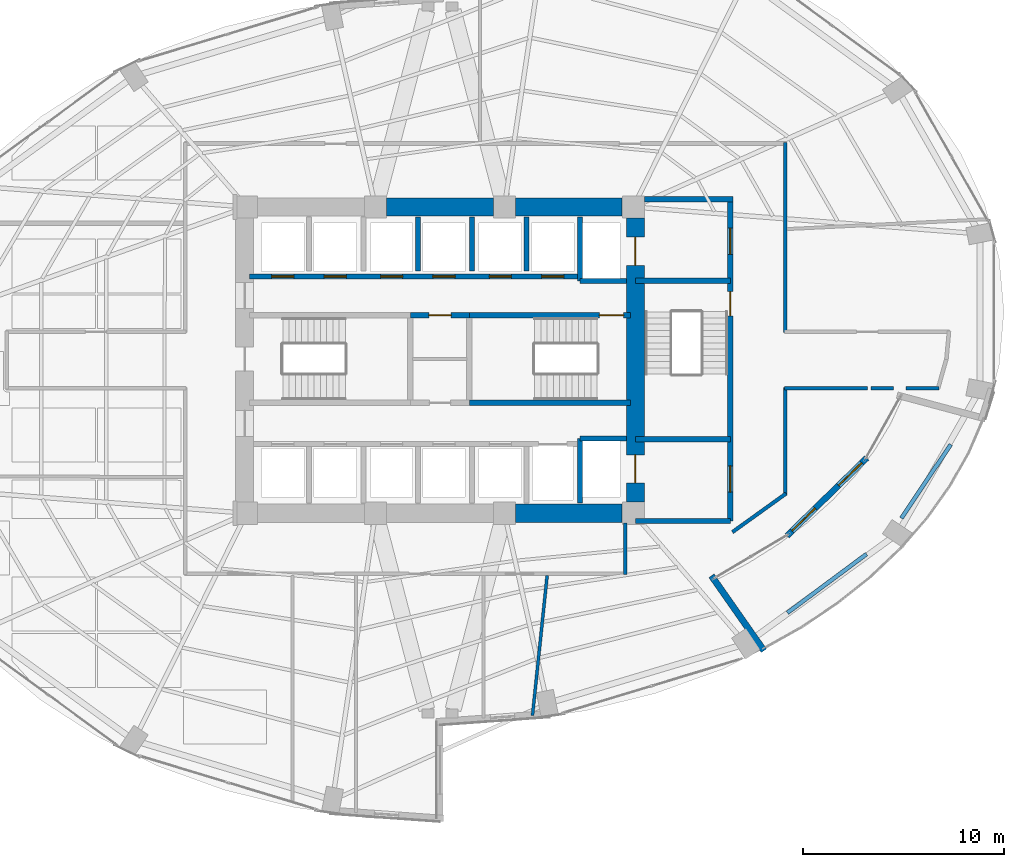
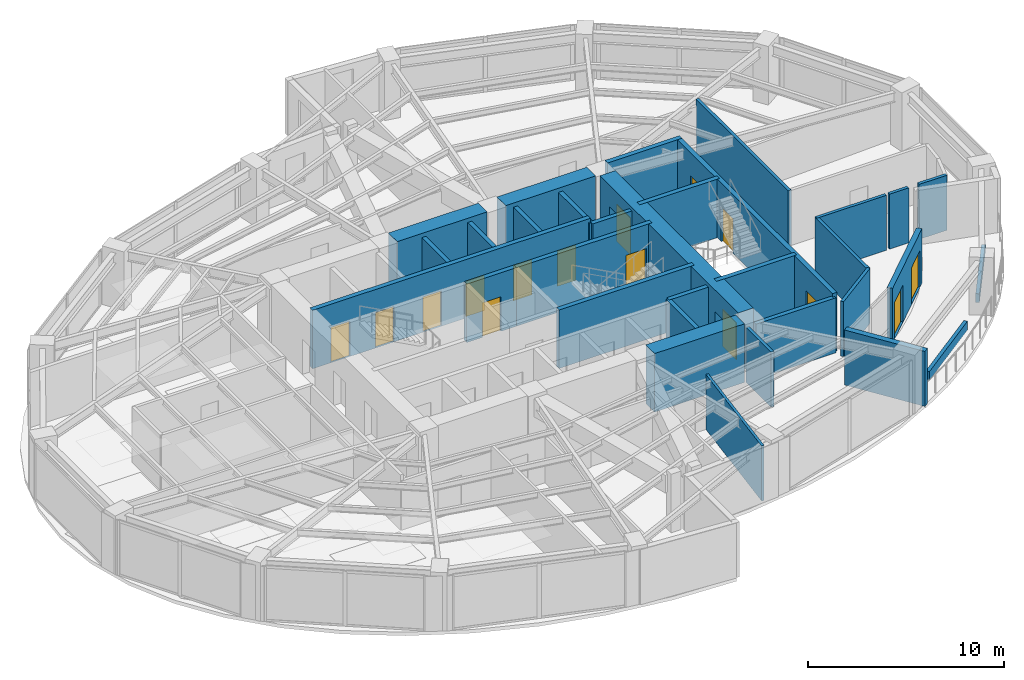
# One storey, part 21 of 24: 32 walls, 15 doors, 15 openings.
"""IFC4 building model written with IfcOpenShell, lengths in metres."""

from ifc_helpers import new_model, si_unit, direction, frame, frame_2d, origin, place, context, subcontext, project, spatial, rectangle, extrude, material, layer, layer_set, type_object, element, fill, save


model = new_model("IFC4")

# Units and contexts
model_context = context("Model", 3, precision=1e-05, world=origin(), true_north=direction((0.0, 1.0)))
body_context = subcontext(model_context, "Body", "Model", "MODEL_VIEW")
ifc_project = project(units=[si_unit("LENGTHUNIT", "METRE"), si_unit("AREAUNIT", "SQUARE_METRE"), si_unit("VOLUMEUNIT", "CUBIC_METRE"), si_unit("PLANEANGLEUNIT", "RADIAN"), si_unit("MASSUNIT", "GRAM", prefix="KILO")], contexts=[model_context])

# Site, building, storey
site_placement = place(None, origin())
site = spatial("IfcSite", under=ifc_project, at=site_placement, CompositionType="ELEMENT")
building_placement = place(site_placement, origin())
building = spatial("IfcBuilding", under=site, at=building_placement, Name="Lazwardi Medical Tower", CompositionType="ELEMENT")
storey_placement = place(building_placement, frame((0.0, 0.0, 58.031982421875)))
storey = spatial("IfcBuildingStorey", under=building, at=storey_placement, Name="L14", CompositionType="ELEMENT", Elevation=58.031982421875)

# Walls
ifc_material_1 = material(Name="Fire-rated gypsum board on steel stud", Category="steel")
ifc_layer_1 = layer(ifc_material_1, 0.179931640625)
ifc_layer_set_1 = layer_set([ifc_layer_1], Name="Fire-rated gypsum board on steel stud")
wall_type_1 = type_object("IfcWallType", Name="WL-COR-180", PredefinedType="PARTITIONING", material=ifc_layer_set_1)
wall_1_placement = place(storey_placement, frame((53.14990234375, 38.7900390625, 0.0), z_axis=(0.0, 0.0, 1.0), x_axis=(0.0, -1.0, 0.0)))
element("IfcWall", 1, at=wall_1_placement, inside=storey, type_object=wall_type_1, Name="L14 Corridor partition 5", PredefinedType="PARTITIONING", context=body_context, shape_type="SweptSolid", body=[
    extrude(rectangle(XDim=9.429931640625, YDim=0.179931640625, at=frame_2d((4.71484375, 0.0))), origin(), (0.0, 0.0, 1.0), 3.427978515625),
])
wall_2_placement = place(storey_placement, frame((60.768310546875, 26.60009765625, 0.0), z_axis=(0.0, 0.0, 1.0), x_axis=(-1.0, 0.0, 0.0)))
element("IfcWall", 2, at=wall_2_placement, inside=storey, type_object=wall_type_1, Name="L14 Corridor partition 9", PredefinedType="PARTITIONING", context=body_context, shape_type="SweptSolid", body=[
    extrude(rectangle(XDim=1.643310546875, YDim=0.179931640625, at=frame_2d((0.82177734375, 0.0))), origin(), (0.0, 0.0, 1.0), 3.427978515625),
])
wall_3_placement = place(storey_placement, frame((58.523193359375, 26.60009765625, 0.0), z_axis=(0.0, 0.0, 1.0), x_axis=(-1.0, 0.0, 0.0)))
element("IfcWall", 3, at=wall_3_placement, inside=storey, type_object=wall_type_1, Name="L14 Corridor partition 10", PredefinedType="PARTITIONING", context=body_context, shape_type="SweptSolid", body=[
    extrude(rectangle(XDim=1.13671875, YDim=0.179931640625, at=frame_2d((0.568359375, 0.0))), origin(), (0.0, 0.0, 1.0), 3.427978515625),
])
wall_4_placement = place(storey_placement, frame((57.21337890625, 26.60009765625, 0.0), z_axis=(0.0, 0.0, 1.0), x_axis=(-1.0, 0.0, 0.0)))
element("IfcWall", 4, at=wall_4_placement, inside=storey, type_object=wall_type_1, Name="L14 Corridor partition 11", PredefinedType="PARTITIONING", context=body_context, shape_type="SweptSolid", body=[
    extrude(rectangle(XDim=4.103271484375, YDim=0.179931640625, at=frame_2d((2.0517578125, 0.0))), origin(), (0.0, 0.0, 1.0), 3.427978515625),
])
wall_5_placement = place(storey_placement, frame((53.14990234375, 26.639892578125, 0.0), z_axis=(0.0, 0.0, 1.0), x_axis=(0.0, -1.0, 0.0)))
element("IfcWall", 5, at=wall_5_placement, inside=storey, type_object=wall_type_1, Name="L14 Corridor partition 12", PredefinedType="PARTITIONING", context=body_context, shape_type="SweptSolid", body=[
    extrude(rectangle(XDim=5.327392578125, YDim=0.179931640625, at=frame_2d((2.66357421875, 0.0))), origin(), (0.0, 0.0, 1.0), 3.427978515625),
])
wall_6_placement = place(storey_placement, frame((53.1826171875, 21.3759765625, 0.0), z_axis=(0.0, 0.0, 1.0), x_axis=(-0.812151980909, -0.583445935717, 0.0)))
element("IfcWall", 6, at=wall_6_placement, inside=storey, type_object=wall_type_1, Name="L14 Corridor partition 13", PredefinedType="PARTITIONING", context=body_context, shape_type="SweptSolid", body=[
    extrude(rectangle(XDim=3.281494140625, YDim=0.179931640625, at=frame_2d((1.640625, 0.0))), origin(), (0.0, 0.0, 1.0), 3.427978515625),
])
wall_7_placement = place(storey_placement, frame((45.199951171875, 19.909912109375, 0.0), z_axis=(0.0, 0.0, 1.0), x_axis=(0.0, -1.0, 0.0)))
element("IfcWall", 7, at=wall_7_placement, inside=storey, type_object=wall_type_1, Name="L14 Corridor partition 16", PredefinedType="PARTITIONING", context=body_context, shape_type="SweptSolid", body=[
    extrude(rectangle(XDim=2.5498046875, YDim=0.179931640625, at=frame_2d((1.27490234375, 0.0))), origin(), (0.0, 0.0, 1.0), 3.427978515625),
])

# Wall, openings, doors
ifc_material_2 = material(Name="Concrete C80/95", Category="concrete")
ifc_layer_2 = layer(ifc_material_2, 0.89990234375)
ifc_layer_set_2 = layer_set([ifc_layer_2], Name="Concrete C80/95")
wall_type_2 = type_object("IfcWallType", Name="WL-CORE-900", PredefinedType="SHEAR", material=ifc_layer_set_2)
wall_8_placement = place(storey_placement, frame((45.699951171875, 20.949951171875, 0.0), z_axis=(0.0, 0.0, 1.0), x_axis=(0.0, 1.0, 0.0)))
wall_8 = element("IfcWall", 8, at=wall_8_placement, inside=storey, type_object=wall_type_2, Name="Core wall CW-S1 east L14", PredefinedType="SHEAR", context=body_context, shape_type="SweptSolid", body=[
    extrude(rectangle(XDim=14.10009765625, YDim=0.89990234375, at=frame_2d((7.050048828125, 0.0))), origin(), (0.0, 0.0, 1.0), 3.64794921875),
])
opening_1_placement = place(wall_8_placement, frame((11.75, 0.0, 0.0)))
opening_1 = element("IfcOpeningElement", 9, at=opening_1_placement, cuts=wall_8, Name="Opening LD-L14-001", PredefinedType="OPENING", context=body_context, shape_type="SweptSolid", body=[
    extrude(rectangle(XDim=1.39990234375, YDim=2.300048828125, at=frame_2d((0.699951171875, 1.14990234375))), frame((0.0, 0.4599609375, 0.0), z_axis=(0.0, -1.0, 0.0), x_axis=(1.0, 0.0, 0.0)), (0.0, 0.0, 1.0), 0.919921875),
])
opening_2_placement = place(wall_8_placement, frame((0.949951171875, 0.0, 0.0)))
opening_2 = element("IfcOpeningElement", 10, at=opening_2_placement, cuts=wall_8, Name="Opening LD-L14-002", PredefinedType="OPENING", context=body_context, shape_type="SweptSolid", body=[
    extrude(rectangle(XDim=1.39990234375, YDim=2.300048828125, at=frame_2d((0.699951171875, 1.14990234375))), frame((0.0, 0.4599609375, 0.0), z_axis=(0.0, -1.0, 0.0), x_axis=(1.0, 0.0, 0.0)), (0.0, 0.0, 1.0), 0.919921875),
])
ifc_material_3 = material(Name="Brushed stainless steel bed-lift landing door", Category="steel")
door_type_1 = type_object("IfcDoorType", Name="DR-LFT-1400", OperationType="NOTDEFINED", PredefinedType="DOOR", material=ifc_material_3)
door_1_placement = place(opening_1_placement, origin())
door_1 = element("IfcDoor", 11, at=door_1_placement, inside=storey, type_object=door_type_1, Name="L14 Lift Landing Door FL-01", OperationType="SLIDING_TO_LEFT", OverallHeight=2.300048828125, OverallWidth=1.39990234375, PredefinedType="DOOR", context=body_context, shape_type="SweptSolid", body=[
    extrude(rectangle(XDim=1.39990234375, YDim=2.300048828125, at=frame_2d((0.699951171875, 1.14990234375))), frame((0.0, 0.02490234375, 0.0), z_axis=(0.0, -1.0, 0.0), x_axis=(1.0, 0.0, 0.0)), (0.0, 0.0, 1.0), 0.050048828125),
])
fill(opening_1, door_1)
door_2_placement = place(opening_2_placement, origin())
door_2 = element("IfcDoor", 12, at=door_2_placement, inside=storey, type_object=door_type_1, Name="L14 Lift Landing Door FL-02", OperationType="SLIDING_TO_LEFT", OverallHeight=2.300048828125, OverallWidth=1.39990234375, PredefinedType="DOOR", context=body_context, shape_type="SweptSolid", body=[
    extrude(rectangle(XDim=1.39990234375, YDim=2.300048828125, at=frame_2d((0.699951171875, 1.14990234375))), frame((0.0, 0.02490234375, 0.0), z_axis=(0.0, -1.0, 0.0), x_axis=(1.0, 0.0, 0.0)), (0.0, 0.0, 1.0), 0.050048828125),
])
fill(opening_2, door_2)

# Walls
wall_9_placement = place(storey_placement, frame((33.35009765625, 35.60009765625, 0.0), z_axis=(0.0, 0.0, 1.0), x_axis=(1.0, 0.0, 0.0)))
element("IfcWall", 13, at=wall_9_placement, inside=storey, type_object=wall_type_2, Name="Core wall CW-S1 N2 L14", PredefinedType="SHEAR", context=body_context, shape_type="SweptSolid", body=[
    extrude(rectangle(XDim=5.2998046875, YDim=0.89990234375, at=frame_2d((2.64990234375, 0.0))), origin(), (0.0, 0.0, 1.0), 3.64794921875),
])
for number, where, z_axis, x_axis, name in (
    (14, (39.75, 20.39990234375, 0.0), (0.0, 0.0, 1.0), (1.0, 0.0, 0.0), "Core wall CW-S1 S3 L14"),
    (15, (39.75, 35.60009765625, 0.0), (0.0, 0.0, 1.0), (1.0, 0.0, 0.0), "Core wall CW-S1 N3 L14"),
):
    element("IfcWall", number, at=place(storey_placement, frame(where, z_axis=z_axis, x_axis=x_axis)), inside=storey, type_object=wall_type_2, Name=name, PredefinedType="SHEAR", context=body_context, shape_type="SweptSolid", body=[
        extrude(rectangle(XDim=5.300048828125, YDim=0.89990234375, at=frame_2d((2.64990234375, 0.0))), origin(), (0.0, 0.0, 1.0), 3.64794921875),
    ])
ifc_material_4 = material(Name="Precast concrete C45/55", Category="concrete")
ifc_layer_3 = layer(ifc_material_4, 0.320068359375)
ifc_layer_set_3 = layer_set([ifc_layer_3], Name="Precast concrete C45/55")
wall_type_3 = type_object("IfcWallType", Name="WL-IWAN-320", PredefinedType="SOLIDWALL", material=ifc_layer_set_3)
wall_10_placement = place(storey_placement, frame((52.0830078125, 13.57470703125, 0.0), z_axis=(0.0, 0.0, 1.0), x_axis=(-0.573592269695, 0.819140957434, 0.0)))
element("IfcWall", 16, at=wall_10_placement, inside=storey, type_object=wall_type_3, Name="L14 Sky Garden SG1 Flank Wall S0", PredefinedType="SOLIDWALL", context=body_context, shape_type="SweptSolid", body=[
    extrude(rectangle(XDim=4.539794921875, YDim=0.320068359375, at=frame_2d((2.27001953125, 0.0))), origin(), (0.0, 0.0, 1.0), 3.427978515625),
])

# Wall, openings, doors
ifc_layer_4 = layer(ifc_material_4, 0.300048828125)
ifc_layer_set_4 = layer_set([ifc_layer_4], Name="Precast concrete C45/55")
wall_type_4 = type_object("IfcWallType", Name="WL-LOBBY-300", PredefinedType="SOLIDWALL", material=ifc_layer_set_4)
wall_11_placement = place(storey_placement, frame((53.232666015625, 19.281494140625, 0.0), z_axis=(0.0, 0.0, 1.0), x_axis=(0.71569731989, 0.698410585761, 0.0)))
wall_11 = element("IfcWall", 17, at=wall_11_placement, inside=storey, type_object=wall_type_4, Name="L14 Sky Garden SG1 Loggia Portal Wall", PredefinedType="SOLIDWALL", context=body_context, shape_type="SweptSolid", body=[
    extrude(rectangle(XDim=5.522216796875, YDim=0.300048828125, at=frame_2d((2.76123046875, 0.0))), origin(), (0.0, 0.0, 1.0), 3.427978515625),
])
opening_3_placement = place(wall_11_placement, frame((0.35009765625, 0.0, 0.02001953125)))
opening_3 = element("IfcOpeningElement", 18, at=opening_3_placement, cuts=wall_11, Name="Opening D-L14-018", PredefinedType="OPENING", context=body_context, shape_type="SweptSolid", body=[
    extrude(rectangle(XDim=1.60009765625, YDim=2.300048828125, at=frame_2d((0.800048828125, 1.14990234375))), frame((0.0, 0.159912109375, 0.0), z_axis=(0.0, -1.0, 0.0), x_axis=(1.0, 0.0, 0.0)), (0.0, 0.0, 1.0), 0.320068359375),
])
opening_4_placement = place(wall_11_placement, frame((3.572265625, 0.0, 0.02001953125)))
opening_4 = element("IfcOpeningElement", 19, at=opening_4_placement, cuts=wall_11, Name="Opening D-L14-019", PredefinedType="OPENING", context=body_context, shape_type="SweptSolid", body=[
    extrude(rectangle(XDim=1.60009765625, YDim=2.300048828125, at=frame_2d((0.800048828125, 1.14990234375))), frame((0.0, 0.159912109375, 0.0), z_axis=(0.0, -1.0, 0.0), x_axis=(1.0, 0.0, 0.0)), (0.0, 0.0, 1.0), 0.320068359375),
])
ifc_material_5 = material(Name="Anodised bronze aluminium and laminated glass", Category="aluminium")
door_type_2 = type_object("IfcDoorType", Name="DR-SKG-1600", OperationType="NOTDEFINED", PredefinedType="DOOR", material=ifc_material_5)
door_3_placement = place(opening_3_placement, origin())
door_3 = element("IfcDoor", 20, at=door_3_placement, inside=storey, type_object=door_type_2, Name="L14 Sky Garden SG1 Terrace Door 1", OperationType="DOUBLE_DOOR_SINGLE_SWING", OverallHeight=2.300048828125, OverallWidth=1.60009765625, PredefinedType="DOOR", context=body_context, shape_type="SweptSolid", body=[
    extrude(rectangle(XDim=1.60009765625, YDim=2.300048828125, at=frame_2d((0.800048828125, 1.14990234375))), frame((0.0, 0.02490234375, 0.0), z_axis=(0.0, -1.0, 0.0), x_axis=(1.0, 0.0, 0.0)), (0.0, 0.0, 1.0), 0.050048828125),
])
fill(opening_3, door_3)
door_4_placement = place(opening_4_placement, origin())
door_4 = element("IfcDoor", 21, at=door_4_placement, inside=storey, type_object=door_type_2, Name="L14 Sky Garden SG1 Terrace Door 2", OperationType="DOUBLE_DOOR_SINGLE_SWING", OverallHeight=2.300048828125, OverallWidth=1.60009765625, PredefinedType="DOOR", context=body_context, shape_type="SweptSolid", body=[
    extrude(rectangle(XDim=1.60009765625, YDim=2.300048828125, at=frame_2d((0.800048828125, 1.14990234375))), frame((0.0, 0.02490234375, 0.0), z_axis=(0.0, -1.0, 0.0), x_axis=(1.0, 0.0, 0.0)), (0.0, 0.0, 1.0), 0.050048828125),
])
fill(opening_4, door_4)

# Walls
ifc_material_6 = material(Name="Precast concrete C40/50", Category="concrete")
ifc_layer_5 = layer(ifc_material_6, 0.199951171875)
ifc_layer_set_5 = layer_set([ifc_layer_5], Name="Precast concrete C40/50")
wall_type_5 = type_object("IfcWallType", Name="WL-PLN-200", PredefinedType="PARAPET", material=ifc_layer_set_5)
wall_12_placement = place(storey_placement, frame((53.2509765625, 15.456787109375, 0.0), z_axis=(0.0, 0.0, 1.0), x_axis=(0.802984756963, 0.59599956383, 0.0)))
element("IfcWall", 22, at=wall_12_placement, inside=storey, type_object=wall_type_5, Name="L14 Sky Garden SG1 Structural Planter 1", PredefinedType="PARAPET", context=body_context, shape_type="SweptSolid", body=[
    extrude(rectangle(XDim=4.891357421875, YDim=0.199951171875, at=frame_2d((2.44580078125, 0.0))), origin(), (0.0, 0.0, 1.0), 0.550048828125),
])
wall_13_placement = place(storey_placement, frame((58.904541015625, 20.150634765625, 0.0), z_axis=(0.0, 0.0, 1.0), x_axis=(0.556514541945, 0.830837869023, 0.0)))
element("IfcWall", 23, at=wall_13_placement, inside=storey, type_object=wall_type_5, Name="L14 Sky Garden SG1 Structural Planter 2", PredefinedType="PARAPET", context=body_context, shape_type="SweptSolid", body=[
    extrude(rectangle(XDim=4.40625, YDim=0.199951171875, at=frame_2d((2.203125, 0.0))), origin(), (0.0, 0.0, 1.0), 0.550048828125),
])
ifc_material_7 = material(Name="Autoclaved aerated concrete blockwork", Category="masonry")
ifc_layer_6 = layer(ifc_material_7, 0.25)
ifc_layer_set_6 = layer_set([ifc_layer_6], Name="Autoclaved aerated concrete blockwork")
wall_type_6 = type_object("IfcWallType", Name="WL-SHAFT-250", PredefinedType="SOLIDWALL", material=ifc_layer_set_6)
wall_14_placement = place(storey_placement, frame((42.949951171875, 31.919921875, 0.0), z_axis=(0.0, 0.0, 1.0), x_axis=(0.0, 1.0, 0.0)))
element("IfcWall", 24, at=wall_14_placement, inside=storey, type_object=wall_type_6, Name="L14 FL-01 West shaft wall", PredefinedType="SOLIDWALL", context=body_context, shape_type="SweptSolid", body=[
    extrude(rectangle(XDim=3.18017578125, YDim=0.25, at=frame_2d((1.590087890625, 0.0))), origin(), (0.0, 0.0, 1.0), 3.427978515625),
])
wall_15_placement = place(storey_placement, frame((42.949951171875, 31.919921875, 0.0), z_axis=(0.0, 0.0, 1.0), x_axis=(1.0, 0.0, 0.0)))
element("IfcWall", 25, at=wall_15_placement, inside=storey, type_object=wall_type_6, Name="L14 FL-01 South shaft wall", PredefinedType="SOLIDWALL", context=body_context, shape_type="SweptSolid", body=[
    extrude(rectangle(XDim=2.300048828125, YDim=0.25, at=frame_2d((1.14990234375, 0.0))), origin(), (0.0, 0.0, 1.0), 3.427978515625),
])
wall_16_placement = place(storey_placement, frame((42.949951171875, 20.89990234375, 0.0), z_axis=(0.0, 0.0, 1.0), x_axis=(0.0, 1.0, 0.0)))
element("IfcWall", 26, at=wall_16_placement, inside=storey, type_object=wall_type_6, Name="L14 FL-02 West shaft wall", PredefinedType="SOLIDWALL", context=body_context, shape_type="SweptSolid", body=[
    extrude(rectangle(XDim=3.2001953125, YDim=0.25, at=frame_2d((1.60009765625, 0.0))), origin(), (0.0, 0.0, 1.0), 3.427978515625),
])
wall_17_placement = place(storey_placement, frame((42.949951171875, 24.10009765625, 0.0), z_axis=(0.0, 0.0, 1.0), x_axis=(1.0, 0.0, 0.0)))
element("IfcWall", 27, at=wall_17_placement, inside=storey, type_object=wall_type_6, Name="L14 FL-02 North shaft wall", PredefinedType="SOLIDWALL", context=body_context, shape_type="SweptSolid", body=[
    extrude(rectangle(XDim=2.300048828125, YDim=0.25, at=frame_2d((1.14990234375, 0.0))), origin(), (0.0, 0.0, 1.0), 3.427978515625),
])
for number, where, z_axis, x_axis, name in (
    (28, (34.89990234375, 32.419921875, 0.0), (0.0, 0.0, 1.0), (0.0, 1.0, 0.0), "L14 North hoistway divider"),
    (29, (37.60009765625, 32.419921875, 0.0), (0.0, 0.0, 1.0), (0.0, 1.0, 0.0), "L14 North hoistway divider"),
    (30, (40.300048828125, 32.419921875, 0.0), (0.0, 0.0, 1.0), (0.0, 1.0, 0.0), "L14 North hoistway divider"),
):
    element("IfcWall", number, at=place(storey_placement, frame(where, z_axis=z_axis, x_axis=x_axis)), inside=storey, type_object=wall_type_6, Name=name, PredefinedType="SOLIDWALL", context=body_context, shape_type="SweptSolid", body=[
        extrude(rectangle(XDim=2.68017578125, YDim=0.25, at=frame_2d((1.340087890625, 0.0))), origin(), (0.0, 0.0, 1.0), 3.427978515625),
    ])
wall_18_placement = place(storey_placement, frame((45.699951171875, 20.02001953125, 0.0), z_axis=(0.0, 0.0, 1.0), x_axis=(1.0, 0.0, 0.0)))
element("IfcWall", 31, at=wall_18_placement, inside=storey, type_object=wall_type_6, Name="L14 FFL-S South wall", PredefinedType="SOLIDWALL", context=body_context, shape_type="SweptSolid", body=[
    extrude(rectangle(XDim=4.715087890625, YDim=0.25, at=frame_2d((2.357421875, 0.0))), origin(), (0.0, 0.0, 1.0), 3.427978515625),
])

# Wall, opening, door
ifc_material_8 = material(Name="Concrete C50/60", Category="concrete")
ifc_layer_7 = layer(ifc_material_8, 0.27001953125)
ifc_layer_set_7 = layer_set([ifc_layer_7], Name="Concrete C50/60")
wall_type_7 = type_object("IfcWallType", Name="WL-STR-250", PredefinedType="SHEAR", material=ifc_layer_set_7)
wall_19_placement = place(storey_placement, frame((34.534912109375, 30.235107421875, 0.0), z_axis=(0.0, 0.0, 1.0), x_axis=(1.0, 0.0, 0.0)))
wall_19 = element("IfcWall", 32, at=wall_19_placement, inside=storey, type_object=wall_type_7, Name="L14 Core service North shear wall SW-S1", PredefinedType="SHEAR", context=body_context, shape_type="SweptSolid", body=[
    extrude(rectangle(XDim=2.93017578125, YDim=0.27001953125, at=frame_2d((1.465087890625, 0.0))), origin(), (0.0, 0.0, 1.0), 3.64794921875),
])
opening_5_placement = place(wall_19_placement, frame((0.9150390625, 0.0, 0.0)))
opening_5 = element("IfcOpeningElement", 33, at=opening_5_placement, cuts=wall_19, Name="Opening D-L14-002", PredefinedType="OPENING", context=body_context, shape_type="SweptSolid", body=[
    extrude(rectangle(XDim=1.10009765625, YDim=2.14990234375, at=frame_2d((0.550048828125, 1.074951171875))), frame((0.0, 0.14501953125, 0.0), z_axis=(0.0, -1.0, 0.0), x_axis=(1.0, 0.0, 0.0)), (0.0, 0.0, 1.0), 0.2900390625),
])
ifc_material_9 = material(Name="Fire-rated steel leaf and frame", Category="steel")
door_type_3 = type_object("IfcDoorType", Name="DR-PLT-1100", OperationType="NOTDEFINED", PredefinedType="DOOR", material=ifc_material_9)
door_5_placement = place(opening_5_placement, origin())
door_5 = element("IfcDoor", 34, at=door_5_placement, inside=storey, type_object=door_type_3, Name="L14 Electrical Room Door", OperationType="SINGLE_SWING_LEFT", OverallHeight=2.14990234375, OverallWidth=1.10009765625, PredefinedType="DOOR", context=body_context, shape_type="SweptSolid", body=[
    extrude(rectangle(XDim=1.10009765625, YDim=2.14990234375, at=frame_2d((0.550048828125, 1.074951171875))), frame((0.0, 0.02490234375, 0.0), z_axis=(0.0, -1.0, 0.0), x_axis=(1.0, 0.0, 0.0)), (0.0, 0.0, 1.0), 0.050048828125),
])
fill(opening_5, door_5)

wall_20_placement = place(storey_placement, frame((37.465087890625, 30.235107421875, 0.0), z_axis=(0.0, 0.0, 1.0), x_axis=(1.0, 0.0, 0.0)))
wall_20 = element("IfcWall", 35, at=wall_20_placement, inside=storey, type_object=wall_type_7, Name="L14 ST2 North shear shaft wall SW-S1", PredefinedType="SHEAR", context=body_context, shape_type="SweptSolid", body=[
    extrude(rectangle(XDim=7.98486328125, YDim=0.27001953125, at=frame_2d((3.992431640625, 0.0))), origin(), (0.0, 0.0, 1.0), 3.64794921875),
])
opening_6_placement = place(wall_20_placement, frame((6.455078125, 0.0, 0.0)))
opening_6 = element("IfcOpeningElement", 36, at=opening_6_placement, cuts=wall_20, Name="Opening D-L14-016", PredefinedType="OPENING", context=body_context, shape_type="SweptSolid", body=[
    extrude(rectangle(XDim=1.199951171875, YDim=2.14990234375, at=frame_2d((0.60009765625, 1.074951171875))), frame((0.0, 0.14501953125, 0.0), z_axis=(0.0, -1.0, 0.0), x_axis=(1.0, 0.0, 0.0)), (0.0, 0.0, 1.0), 0.2900390625),
])
door_type_4 = type_object("IfcDoorType", Name="DR-STR-1200", OperationType="NOTDEFINED", PredefinedType="DOOR", material=ifc_material_9)
door_6_placement = place(opening_6_placement, origin())
door_6 = element("IfcDoor", 37, at=door_6_placement, inside=storey, type_object=door_type_4, Name="L14 Exit Stair ST2 Door", OperationType="SINGLE_SWING_LEFT", OverallHeight=2.14990234375, OverallWidth=1.199951171875, PredefinedType="DOOR", context=body_context, shape_type="SweptSolid", body=[
    extrude(rectangle(XDim=1.199951171875, YDim=2.14990234375, at=frame_2d((0.60009765625, 1.074951171875))), frame((0.0, 0.02490234375, 0.0), z_axis=(0.0, -1.0, 0.0), x_axis=(1.0, 0.0, 0.0)), (0.0, 0.0, 1.0), 0.050048828125),
])
fill(opening_6, door_6)

# Wall
wall_21_placement = place(storey_placement, frame((37.465087890625, 25.885009765625, 0.0), z_axis=(0.0, 0.0, 1.0), x_axis=(1.0, 0.0, 0.0)))
element("IfcWall", 38, at=wall_21_placement, inside=storey, type_object=wall_type_7, Name="L14 ST2 South shear shaft wall SW-S1", PredefinedType="SHEAR", context=body_context, shape_type="SweptSolid", body=[
    extrude(rectangle(XDim=7.98486328125, YDim=0.27001953125, at=frame_2d((3.992431640625, 0.0))), origin(), (0.0, 0.0, 1.0), 3.64794921875),
])

# Wall, openings, doors
wall_22_placement = place(storey_placement, frame((26.550048828125, 32.14990234375, 0.0), z_axis=(0.0, 0.0, 1.0), x_axis=(1.0, 0.0, 0.0)))
wall_22 = element("IfcWall", 39, at=wall_22_placement, inside=storey, type_object=wall_type_7, Name="L14 North lift bank shear wall SW-S1", PredefinedType="SHEAR", context=body_context, shape_type="SweptSolid", body=[
    extrude(rectangle(XDim=16.39990234375, YDim=0.27001953125, at=frame_2d((8.199951171875, 0.0))), origin(), (0.0, 0.0, 1.0), 3.64794921875),
])
opening_7_placement = place(wall_22_placement, frame((1.10009765625, 0.0, 0.0)))
opening_7 = element("IfcOpeningElement", 40, at=opening_7_placement, cuts=wall_22, Name="Opening LD-L14-004", PredefinedType="OPENING", context=body_context, shape_type="SweptSolid", body=[
    extrude(rectangle(XDim=1.10009765625, YDim=2.199951171875, at=frame_2d((0.550048828125, 1.10009765625))), frame((0.0, 0.14501953125, 0.0), z_axis=(0.0, -1.0, 0.0), x_axis=(1.0, 0.0, 0.0)), (0.0, 0.0, 1.0), 0.2900390625),
])
opening_8_placement = place(wall_22_placement, frame((3.699951171875, 0.0, 0.0)))
opening_8 = element("IfcOpeningElement", 41, at=opening_8_placement, cuts=wall_22, Name="Opening LD-L14-005", PredefinedType="OPENING", context=body_context, shape_type="SweptSolid", body=[
    extrude(rectangle(XDim=1.10009765625, YDim=2.199951171875, at=frame_2d((0.550048828125, 1.10009765625))), frame((0.0, 0.14501953125, 0.0), z_axis=(0.0, -1.0, 0.0), x_axis=(1.0, 0.0, 0.0)), (0.0, 0.0, 1.0), 0.2900390625),
])
opening_9_placement = place(wall_22_placement, frame((6.5, 0.0, 0.0)))
opening_9 = element("IfcOpeningElement", 42, at=opening_9_placement, cuts=wall_22, Name="Opening LD-L14-008", PredefinedType="OPENING", context=body_context, shape_type="SweptSolid", body=[
    extrude(rectangle(XDim=1.10009765625, YDim=2.199951171875, at=frame_2d((0.550048828125, 1.10009765625))), frame((0.0, 0.14501953125, 0.0), z_axis=(0.0, -1.0, 0.0), x_axis=(1.0, 0.0, 0.0)), (0.0, 0.0, 1.0), 0.2900390625),
])
opening_10_placement = place(wall_22_placement, frame((9.10009765625, 0.0, 0.0)))
opening_10 = element("IfcOpeningElement", 43, at=opening_10_placement, cuts=wall_22, Name="Opening LD-L14-009", PredefinedType="OPENING", context=body_context, shape_type="SweptSolid", body=[
    extrude(rectangle(XDim=1.10009765625, YDim=2.199951171875, at=frame_2d((0.550048828125, 1.10009765625))), frame((0.0, 0.14501953125, 0.0), z_axis=(0.0, -1.0, 0.0), x_axis=(1.0, 0.0, 0.0)), (0.0, 0.0, 1.0), 0.2900390625),
])
opening_11_placement = place(wall_22_placement, frame((11.89990234375, 0.0, 0.0)))
opening_11 = element("IfcOpeningElement", 44, at=opening_11_placement, cuts=wall_22, Name="Opening LD-L14-012", PredefinedType="OPENING", context=body_context, shape_type="SweptSolid", body=[
    extrude(rectangle(XDim=1.10009765625, YDim=2.199951171875, at=frame_2d((0.550048828125, 1.10009765625))), frame((0.0, 0.14501953125, 0.0), z_axis=(0.0, -1.0, 0.0), x_axis=(1.0, 0.0, 0.0)), (0.0, 0.0, 1.0), 0.2900390625),
])
opening_12_placement = place(wall_22_placement, frame((14.5, 0.0, 0.0)))
opening_12 = element("IfcOpeningElement", 45, at=opening_12_placement, cuts=wall_22, Name="Opening LD-L14-013", PredefinedType="OPENING", context=body_context, shape_type="SweptSolid", body=[
    extrude(rectangle(XDim=1.10009765625, YDim=2.199951171875, at=frame_2d((0.550048828125, 1.10009765625))), frame((0.0, 0.14501953125, 0.0), z_axis=(0.0, -1.0, 0.0), x_axis=(1.0, 0.0, 0.0)), (0.0, 0.0, 1.0), 0.2900390625),
])
ifc_material_10 = material(Name="Brushed bronze stainless steel landing door", Category="steel")
door_type_5 = type_object("IfcDoorType", Name="DR-LFT-1100", OperationType="NOTDEFINED", PredefinedType="DOOR", material=ifc_material_10)
door_7_placement = place(opening_7_placement, origin())
door_7 = element("IfcDoor", 46, at=door_7_placement, inside=storey, type_object=door_type_5, Name="L14 Lift Landing Door PL-01", OperationType="SLIDING_TO_LEFT", OverallHeight=2.199951171875, OverallWidth=1.10009765625, PredefinedType="DOOR", context=body_context, shape_type="SweptSolid", body=[
    extrude(rectangle(XDim=1.10009765625, YDim=2.199951171875, at=frame_2d((0.550048828125, 1.10009765625))), frame((0.0, 0.02490234375, 0.0), z_axis=(0.0, -1.0, 0.0), x_axis=(1.0, 0.0, 0.0)), (0.0, 0.0, 1.0), 0.050048828125),
])
fill(opening_7, door_7)
door_8_placement = place(opening_8_placement, origin())
door_8 = element("IfcDoor", 47, at=door_8_placement, inside=storey, type_object=door_type_5, Name="L14 Lift Landing Door PL-02", OperationType="SLIDING_TO_LEFT", OverallHeight=2.199951171875, OverallWidth=1.10009765625, PredefinedType="DOOR", context=body_context, shape_type="SweptSolid", body=[
    extrude(rectangle(XDim=1.10009765625, YDim=2.199951171875, at=frame_2d((0.550048828125, 1.10009765625))), frame((0.0, 0.02490234375, 0.0), z_axis=(0.0, -1.0, 0.0), x_axis=(1.0, 0.0, 0.0)), (0.0, 0.0, 1.0), 0.050048828125),
])
fill(opening_8, door_8)
door_9_placement = place(opening_9_placement, origin())
door_9 = element("IfcDoor", 48, at=door_9_placement, inside=storey, type_object=door_type_5, Name="L14 Lift Landing Door PL-05", OperationType="SLIDING_TO_LEFT", OverallHeight=2.199951171875, OverallWidth=1.10009765625, PredefinedType="DOOR", context=body_context, shape_type="SweptSolid", body=[
    extrude(rectangle(XDim=1.10009765625, YDim=2.199951171875, at=frame_2d((0.550048828125, 1.10009765625))), frame((0.0, 0.02490234375, 0.0), z_axis=(0.0, -1.0, 0.0), x_axis=(1.0, 0.0, 0.0)), (0.0, 0.0, 1.0), 0.050048828125),
])
fill(opening_9, door_9)
door_10_placement = place(opening_10_placement, origin())
door_10 = element("IfcDoor", 49, at=door_10_placement, inside=storey, type_object=door_type_5, Name="L14 Lift Landing Door PL-06", OperationType="SLIDING_TO_LEFT", OverallHeight=2.199951171875, OverallWidth=1.10009765625, PredefinedType="DOOR", context=body_context, shape_type="SweptSolid", body=[
    extrude(rectangle(XDim=1.10009765625, YDim=2.199951171875, at=frame_2d((0.550048828125, 1.10009765625))), frame((0.0, 0.02490234375, 0.0), z_axis=(0.0, -1.0, 0.0), x_axis=(1.0, 0.0, 0.0)), (0.0, 0.0, 1.0), 0.050048828125),
])
fill(opening_10, door_10)
door_11_placement = place(opening_11_placement, origin())
door_11 = element("IfcDoor", 50, at=door_11_placement, inside=storey, type_object=door_type_5, Name="L14 Lift Landing Door PL-09", OperationType="SLIDING_TO_LEFT", OverallHeight=2.199951171875, OverallWidth=1.10009765625, PredefinedType="DOOR", context=body_context, shape_type="SweptSolid", body=[
    extrude(rectangle(XDim=1.10009765625, YDim=2.199951171875, at=frame_2d((0.550048828125, 1.10009765625))), frame((0.0, 0.02490234375, 0.0), z_axis=(0.0, -1.0, 0.0), x_axis=(1.0, 0.0, 0.0)), (0.0, 0.0, 1.0), 0.050048828125),
])
fill(opening_11, door_11)
door_12_placement = place(opening_12_placement, origin())
door_12 = element("IfcDoor", 51, at=door_12_placement, inside=storey, type_object=door_type_5, Name="L14 Lift Landing Door PL-10", OperationType="SLIDING_TO_LEFT", OverallHeight=2.199951171875, OverallWidth=1.10009765625, PredefinedType="DOOR", context=body_context, shape_type="SweptSolid", body=[
    extrude(rectangle(XDim=1.10009765625, YDim=2.199951171875, at=frame_2d((0.550048828125, 1.10009765625))), frame((0.0, 0.02490234375, 0.0), z_axis=(0.0, -1.0, 0.0), x_axis=(1.0, 0.0, 0.0)), (0.0, 0.0, 1.0), 0.050048828125),
])
fill(opening_12, door_12)

wall_23_placement = place(storey_placement, frame((50.4150390625, 35.844970703125, 0.0), z_axis=(0.0, 0.0, 1.0), x_axis=(0.0, -1.0, 0.0)))
wall_23 = element("IfcWall", 52, at=wall_23_placement, inside=storey, type_object=wall_type_7, Name="L14 East ST3 & FFL shear wall SW-S1", PredefinedType="SHEAR", context=body_context, shape_type="SweptSolid", body=[
    extrude(rectangle(XDim=15.824951171875, YDim=0.27001953125, at=frame_2d((7.91259765625, 0.0))), origin(), (0.0, 0.0, 1.0), 3.64794921875),
])
opening_13_placement = place(wall_23_placement, frame((4.445068359375, 0.0, 0.0)))
opening_13 = element("IfcOpeningElement", 53, at=opening_13_placement, cuts=wall_23, Name="Opening D-L14-017", PredefinedType="OPENING", context=body_context, shape_type="SweptSolid", body=[
    extrude(rectangle(XDim=1.199951171875, YDim=2.14990234375, at=frame_2d((0.60009765625, 1.074951171875))), frame((0.0, 0.14501953125, 0.0), z_axis=(0.0, -1.0, 0.0), x_axis=(1.0, 0.0, 0.0)), (0.0, 0.0, 1.0), 0.2900390625),
])
opening_14_placement = place(wall_23_placement, frame((1.294921875, 0.0, 0.0)))
opening_14 = element("IfcOpeningElement", 54, at=opening_14_placement, cuts=wall_23, Name="Opening D-L14-003", PredefinedType="OPENING", context=body_context, shape_type="SweptSolid", body=[
    extrude(rectangle(XDim=1.300048828125, YDim=2.199951171875, at=frame_2d((0.64990234375, 1.10009765625))), frame((0.0, 0.14501953125, 0.0), z_axis=(0.0, -1.0, 0.0), x_axis=(1.0, 0.0, 0.0)), (0.0, 0.0, 1.0), 0.2900390625),
])
opening_15_placement = place(wall_23_placement, frame((13.094970703125, 0.0, 0.0)))
opening_15 = element("IfcOpeningElement", 55, at=opening_15_placement, cuts=wall_23, Name="Opening D-L14-004", PredefinedType="OPENING", context=body_context, shape_type="SweptSolid", body=[
    extrude(rectangle(XDim=1.300048828125, YDim=2.199951171875, at=frame_2d((0.64990234375, 1.10009765625))), frame((0.0, 0.14501953125, 0.0), z_axis=(0.0, -1.0, 0.0), x_axis=(1.0, 0.0, 0.0)), (0.0, 0.0, 1.0), 0.2900390625),
])
door_type_6 = type_object("IfcDoorType", Name="DR-FFL-1300", OperationType="NOTDEFINED", PredefinedType="DOOR", material=ifc_material_9)
door_13_placement = place(opening_14_placement, origin())
door_13 = element("IfcDoor", 56, at=door_13_placement, inside=storey, type_object=door_type_6, Name="L14 Fire-Fighting Lobby North Door", OperationType="SINGLE_SWING_LEFT", OverallHeight=2.199951171875, OverallWidth=1.300048828125, PredefinedType="DOOR", context=body_context, shape_type="SweptSolid", body=[
    extrude(rectangle(XDim=1.300048828125, YDim=2.199951171875, at=frame_2d((0.64990234375, 1.10009765625))), frame((0.0, 0.02490234375, 0.0), z_axis=(0.0, -1.0, 0.0), x_axis=(1.0, 0.0, 0.0)), (0.0, 0.0, 1.0), 0.050048828125),
])
fill(opening_14, door_13)
door_14_placement = place(opening_15_placement, origin())
door_14 = element("IfcDoor", 57, at=door_14_placement, inside=storey, type_object=door_type_6, Name="L14 Fire-Fighting Lobby South Door", OperationType="SINGLE_SWING_RIGHT", OverallHeight=2.199951171875, OverallWidth=1.300048828125, PredefinedType="DOOR", context=body_context, shape_type="SweptSolid", body=[
    extrude(rectangle(XDim=1.300048828125, YDim=2.199951171875, at=frame_2d((0.64990234375, 1.10009765625))), frame((0.0, 0.02490234375, 0.0), z_axis=(0.0, -1.0, 0.0), x_axis=(1.0, 0.0, 0.0)), (0.0, 0.0, 1.0), 0.050048828125),
])
fill(opening_15, door_14)
door_15_placement = place(opening_13_placement, origin())
door_15 = element("IfcDoor", 58, at=door_15_placement, inside=storey, type_object=door_type_4, Name="L14 Exit Stair ST3 Door", OperationType="SINGLE_SWING_RIGHT", OverallHeight=2.14990234375, OverallWidth=1.199951171875, PredefinedType="DOOR", context=body_context, shape_type="SweptSolid", body=[
    extrude(rectangle(XDim=1.199951171875, YDim=2.14990234375, at=frame_2d((0.60009765625, 1.074951171875))), frame((0.0, 0.02490234375, 0.0), z_axis=(0.0, -1.0, 0.0), x_axis=(1.0, 0.0, 0.0)), (0.0, 0.0, 1.0), 0.050048828125),
])
fill(opening_13, door_15)

# Walls
wall_24_placement = place(storey_placement, frame((46.14990234375, 35.97998046875, 0.0), z_axis=(0.0, 0.0, 1.0), x_axis=(1.0, 0.0, 0.0)))
element("IfcWall", 59, at=wall_24_placement, inside=storey, type_object=wall_type_7, Name="L14 FFL-N North shear wall SW-S1", PredefinedType="SHEAR", context=body_context, shape_type="SweptSolid", body=[
    extrude(rectangle(XDim=4.400146484375, YDim=0.27001953125, at=frame_2d((2.2001953125, 0.0))), origin(), (0.0, 0.0, 1.0), 3.64794921875),
])
for number, where, z_axis, x_axis, name in (
    (60, (45.699951171875, 31.93505859375, 0.0), (0.0, 0.0, 1.0), (1.0, 0.0, 0.0), "L14 ST3 North shear shaft wall SW-S1"),
    (61, (45.699951171875, 24.06494140625, 0.0), (0.0, 0.0, 1.0), (1.0, 0.0, 0.0), "L14 ST3 South shear shaft wall SW-S1"),
):
    element("IfcWall", number, at=place(storey_placement, frame(where, z_axis=z_axis, x_axis=x_axis)), inside=storey, type_object=wall_type_7, Name=name, PredefinedType="SHEAR", context=body_context, shape_type="SweptSolid", body=[
        extrude(rectangle(XDim=4.715087890625, YDim=0.27001953125, at=frame_2d((2.357421875, 0.0))), origin(), (0.0, 0.0, 1.0), 3.64794921875),
    ])
ifc_material_11 = material(Name="Acoustic gypsum board partition")
ifc_layer_8 = layer(ifc_material_11, 0.14990234375)
ifc_layer_set_8 = layer_set([ifc_layer_8], Name="Acoustic gypsum board partition")
wall_type_8 = type_object("IfcWallType", Name="WL-WRD-150", PredefinedType="PARTITIONING", material=ifc_layer_set_8)
wall_25_placement = place(storey_placement, frame((40.594970703125, 10.35888671875, 0.0), z_axis=(0.0, 0.0, 1.0), x_axis=(0.104057453244, 0.994571287754, 0.0)))
element("IfcWall", 62, at=wall_25_placement, inside=storey, type_object=wall_type_8, Name="L14 Room partition 8", PredefinedType="PARTITIONING", context=body_context, shape_type="SweptSolid", body=[
    extrude(rectangle(XDim=6.9892578125, YDim=0.14990234375, at=frame_2d((3.49462890625, 0.0))), origin(), (0.0, 0.0, 1.0), 3.427978515625),
])

save(model, "model.ifc")
